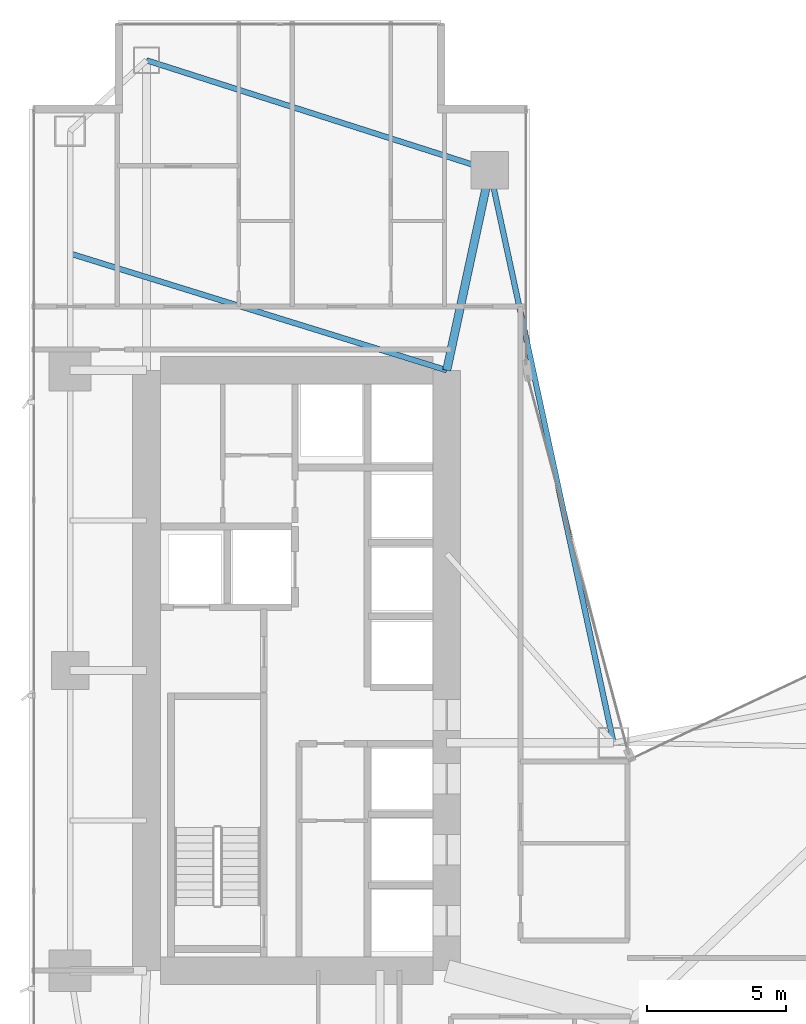
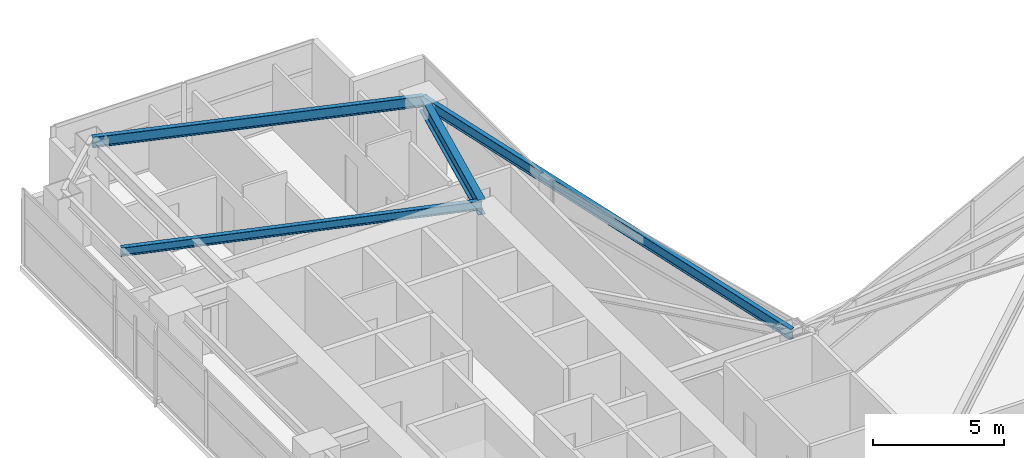
# One storey, part 17 of 29: 4 beams.
"""IFC4 building model written with IfcOpenShell, lengths in metres."""

from ifc_helpers import new_model, si_unit, direction, frame, origin, origin_2d, place, context, subcontext, project, spatial, i_section, extrude, material, material_profile, profile_set, type_object, element, save


model = new_model("IFC4")

# Units and contexts
model_context = context("Model", 3, precision=1e-05, world=origin(), true_north=direction((0.0, 1.0)))
body_context = subcontext(model_context, "Body", "Model", "MODEL_VIEW")
ifc_project = project(units=[si_unit("LENGTHUNIT", "METRE"), si_unit("AREAUNIT", "SQUARE_METRE"), si_unit("VOLUMEUNIT", "CUBIC_METRE"), si_unit("PLANEANGLEUNIT", "RADIAN"), si_unit("MASSUNIT", "GRAM", prefix="KILO")], contexts=[model_context])

# Site, building, storey
site_placement = place(None, origin())
site = spatial("IfcSite", under=ifc_project, at=site_placement, CompositionType="ELEMENT")
building_placement = place(site_placement, origin())
building = spatial("IfcBuilding", under=site, at=building_placement, Name="Calvorn Quay Hotel", CompositionType="ELEMENT")
storey_placement = place(building_placement, frame((0.0, 0.0, 69.800048828125)))
storey = spatial("IfcBuildingStorey", under=building, at=storey_placement, Name="L16", CompositionType="ELEMENT", Elevation=69.800048828125)

# Beams
ifc_material_1 = material(Name="Steel Q390GJC", Category="steel")
ifc_material_profile_1 = material_profile(ifc_material_1, i_section(OverallWidth=0.300048828125, OverallDepth=0.699951171875, WebThickness=0.012939453125, FlangeThickness=0.02392578125, FilletRadius=0.02392578125, at=origin_2d()), Name="HN700x300x13x24")
ifc_profile_set_1 = profile_set([ifc_material_profile_1], Name="Steel Q390GJC")
beam_type_1 = type_object("IfcBeamType", Name="BM-GIRD-MAIN", PredefinedType="BEAM", material=ifc_profile_set_1)
beam_1_placement = place(storey_placement, frame((16.550048828125, 45.60009765625, 3.18994140625), z_axis=(-0.210457140491, -0.97760308511, 0.0), x_axis=(0.97760308511, -0.210457140491, 0.0)))
element("IfcBeam", 1, at=beam_1_placement, inside=storey, type_object=beam_type_1, Name="Beam BG-L16-W6", PredefinedType="BEAM", context=body_context, shape_type="SweptSolid", body=[
    extrude(i_section(OverallWidth=0.300048828125, OverallDepth=0.699951171875, WebThickness=0.012939453125, FlangeThickness=0.02392578125, FilletRadius=0.02392578125, at=origin_2d()), origin(), (0.0, 0.0, 1.0), 7.365234375),
])
ifc_material_2 = material(Name="Steel Q355B", Category="steel")
ifc_material_profile_2 = material_profile(ifc_material_2, i_section(OverallWidth=0.199951171875, OverallDepth=0.39990234375, WebThickness=0.008056640625, FlangeThickness=0.012939453125, FilletRadius=0.01611328125, at=origin_2d()), Name="HN400x200x8x13")
ifc_profile_set_2 = profile_set([ifc_material_profile_2], Name="Steel Q355B")
beam_type_2 = type_object("IfcBeamType", Name="BM-JOIST-TYP", PredefinedType="JOIST", material=ifc_profile_set_2)
beam_2_placement = place(storey_placement, frame((1.449951171875, 42.60009765625, 3.33984375), z_axis=(0.955163702122, -0.296078202759, 0.0), x_axis=(0.296078202759, 0.955163702122, 0.0)))
element("IfcBeam", 2, at=beam_2_placement, inside=storey, type_object=beam_type_2, Name="Beam BJ-L16-W2", PredefinedType="JOIST", context=body_context, shape_type="SweptSolid", body=[
    extrude(i_section(OverallWidth=0.199951171875, OverallDepth=0.39990234375, WebThickness=0.008056640625, FlangeThickness=0.012939453125, FilletRadius=0.01611328125, at=origin_2d()), origin(), (0.0, 0.0, 1.0), 14.18603515625),
])
ifc_material_3 = material(Name="Steel Q355B", Category="steel")
ifc_material_profile_3 = material_profile(ifc_material_3, i_section(OverallWidth=0.199951171875, OverallDepth=0.5, WebThickness=0.010009765625, FlangeThickness=0.01611328125, FilletRadius=0.01611328125, at=origin_2d()), Name="HN500x200x10x16")
ifc_profile_set_3 = profile_set([ifc_material_profile_3], Name="Steel Q355B")
beam_type_3 = type_object("IfcBeamType", Name="BM-SPANDREL-Z1", PredefinedType="SPANDREL", material=ifc_profile_set_3)
beam_3_placement = place(storey_placement, frame((4.199951171875, 49.550048828125, 3.2900390625), z_axis=(0.952470702374, -0.304630203885, 0.0), x_axis=(0.304630203885, 0.952470702374, 0.0)))
element("IfcBeam", 3, at=beam_3_placement, inside=storey, type_object=beam_type_3, Name="Beam BSP-L16-W6", PredefinedType="SPANDREL", context=body_context, shape_type="SweptSolid", body=[
    extrude(i_section(OverallWidth=0.199951171875, OverallDepth=0.5, WebThickness=0.010009765625, FlangeThickness=0.01611328125, FilletRadius=0.01611328125, at=origin_2d()), origin(), (0.0, 0.0, 1.0), 12.96630859375),
])
beam_4_placement = place(storey_placement, frame((16.550048828125, 45.60009765625, 3.2900390625), z_axis=(0.211145848376, -0.977454567084, 0.0), x_axis=(0.977454567084, 0.211145848376, 0.0)))
element("IfcBeam", 4, at=beam_4_placement, inside=storey, type_object=beam_type_3, Name="Beam BSP-L16-W7", PredefinedType="SPANDREL", context=body_context, shape_type="SweptSolid", body=[
    extrude(i_section(OverallWidth=0.199951171875, OverallDepth=0.5, WebThickness=0.010009765625, FlangeThickness=0.01611328125, FilletRadius=0.01611328125, at=origin_2d()), origin(), (0.0, 0.0, 1.0), 21.0751953125),
])

save(model, "model.ifc")
